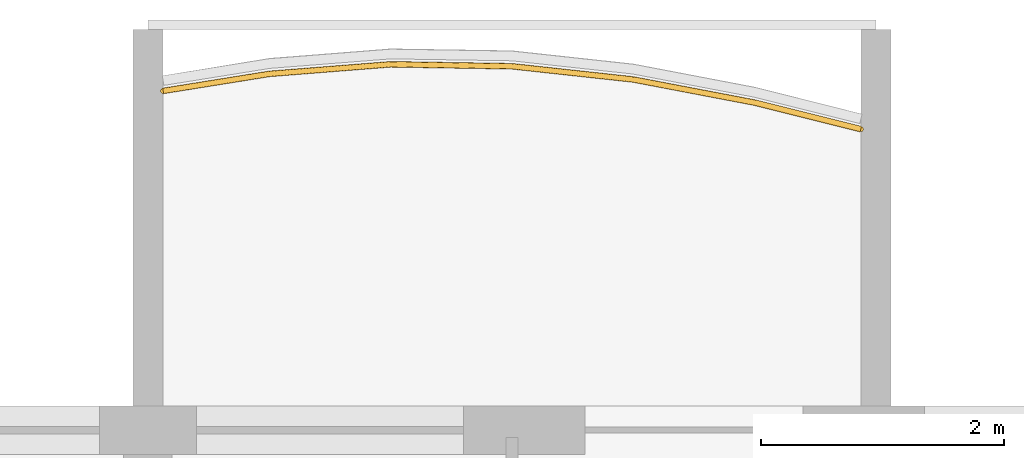
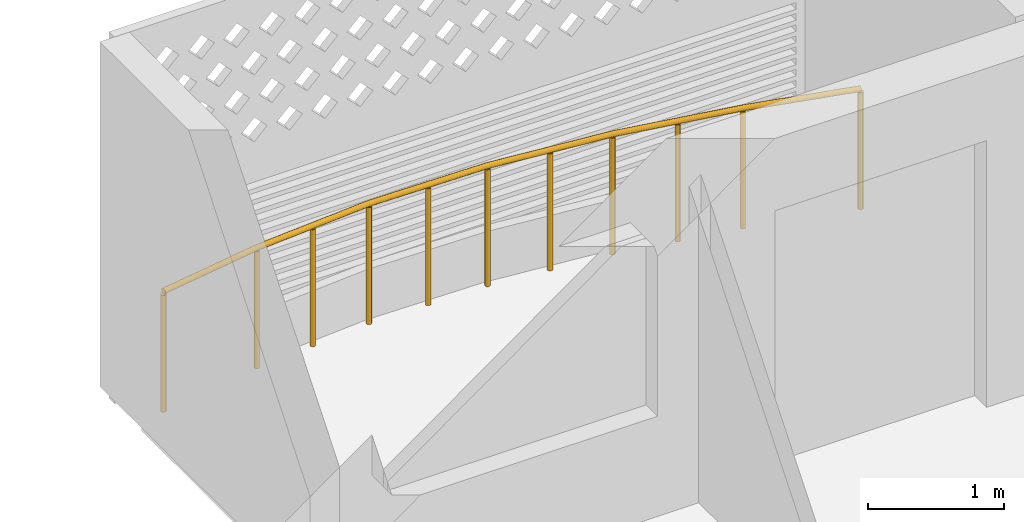
# One storey, part 28 of 38: 1 railing.
"""IFC4 building model written with IfcOpenShell, lengths in metres."""

from ifc_helpers import new_model, si_unit, direction, frame, origin, origin_2d, place, context, subcontext, project, spatial, circle, extrude, material, type_object, element, save


model = new_model("IFC4")

# Units and contexts
model_context = context("Model", 3, precision=1e-05, world=origin(), true_north=direction((0.0, 1.0)))
body_context = subcontext(model_context, "Body", "Model", "MODEL_VIEW")
ifc_project = project(units=[si_unit("LENGTHUNIT", "METRE"), si_unit("AREAUNIT", "SQUARE_METRE"), si_unit("VOLUMEUNIT", "CUBIC_METRE"), si_unit("PLANEANGLEUNIT", "RADIAN"), si_unit("MASSUNIT", "GRAM", prefix="KILO")], contexts=[model_context])

# Site, building, storey
site_placement = place(None, origin())
site = spatial("IfcSite", under=ifc_project, at=site_placement, CompositionType="ELEMENT")
building_placement = place(site_placement, origin())
building = spatial("IfcBuilding", under=site, at=building_placement, Name="Poui Terraces", CompositionType="ELEMENT")
storey_placement = place(building_placement, frame((0.0, 0.0, 46.5)))
storey = spatial("IfcBuildingStorey", under=building, at=storey_placement, Name="L12", CompositionType="ELEMENT", Elevation=46.5)

# Railing
ifc_material = material(Name="Painted steel fretwork", Category="steel")
railing_type = type_object("IfcRailingType", Name="BALCONY GUARD 1100", PredefinedType="GUARDRAIL", material=ifc_material)
railing_placement = place(storey_placement, frame((54.125, 47.595458984375, 0.0)))
element("IfcRailing", 1, at=railing_placement, inside=storey, type_object=railing_type, Name="BALCONY GUARD", PredefinedType="GUARDRAIL", context=body_context, shape_type="SweptSolid", body=[
    extrude(circle(Radius=0.02392578125, at=origin_2d()), frame((0.0, 0.0, 1.076171875), z_axis=(0.987373495895, 0.158409531289, 0.0), x_axis=(-0.158409531289, 0.987373495895, 0.0)), (0.0, 0.0, 1.0), 0.88623046875),
    extrude(circle(Radius=0.02392578125, at=origin_2d()), frame((0.875, 0.140380859375, 1.076171875), z_axis=(0.996905179889, 0.07861337234, 0.0), x_axis=(-0.07861337234, 0.996905179889, 0.0)), (0.0, 0.0, 1.0), 1.003173828125),
    extrude(circle(Radius=0.02392578125, at=origin_2d()), frame((1.875, 0.21923828125, 1.076171875), z_axis=(0.999870206358, -0.016111189849, 0.0), x_axis=(0.016111189849, 0.999870206358, 0.0)), (0.0, 0.0, 1.0), 1.000244140625),
    extrude(circle(Radius=0.02392578125, at=origin_2d()), frame((2.875, 0.203125, 1.076171875), z_axis=(0.994124040351, -0.108246904784, 0.0), x_axis=(0.108246904784, 0.994124040351, 0.0)), (0.0, 0.0, 1.0), 1.005859375),
    extrude(circle(Radius=0.02392578125, at=origin_2d()), frame((3.875, 0.09423828125, 1.076171875), z_axis=(0.982302864177, -0.187299447491, 0.0), x_axis=(0.187299447491, 0.982302864177, 0.0)), (0.0, 0.0, 1.0), 1.01806640625),
    extrude(circle(Radius=0.02392578125, at=origin_2d()), frame((4.875, -0.096435546875, 1.076171875), z_axis=(0.970142500145, -0.242535625036, 0.0), x_axis=(0.242535625036, 0.970142500145, 0.0)), (0.0, 0.0, 1.0), 0.90185546875),
    extrude(circle(Radius=0.02099609375, at=origin_2d()), origin(), (0.0, 0.0, 1.0), 1.052001953125),
    extrude(circle(Radius=0.02099609375, at=origin_2d()), frame((0.875, 0.140380859375, 0.0)), (0.0, 0.0, 1.0), 1.052001953125),
    extrude(circle(Radius=0.02099609375, at=origin_2d()), frame((1.375, 0.1796875, 0.0)), (0.0, 0.0, 1.0), 1.052001953125),
    extrude(circle(Radius=0.02099609375, at=origin_2d()), frame((1.875, 0.21923828125, 0.0)), (0.0, 0.0, 1.0), 1.052001953125),
    extrude(circle(Radius=0.02099609375, at=origin_2d()), frame((2.375, 0.211181640625, 0.0)), (0.0, 0.0, 1.0), 1.052001953125),
    extrude(circle(Radius=0.02099609375, at=origin_2d()), frame((2.875, 0.203125, 0.0)), (0.0, 0.0, 1.0), 1.052001953125),
    extrude(circle(Radius=0.02099609375, at=origin_2d()), frame((3.375, 0.148681640625, 0.0)), (0.0, 0.0, 1.0), 1.052001953125),
    extrude(circle(Radius=0.02099609375, at=origin_2d()), frame((3.875, 0.09423828125, 0.0)), (0.0, 0.0, 1.0), 1.052001953125),
    extrude(circle(Radius=0.02099609375, at=origin_2d()), frame((4.375, -0.0009765625, 0.0)), (0.0, 0.0, 1.0), 1.052001953125),
    extrude(circle(Radius=0.02099609375, at=origin_2d()), frame((4.875, -0.096435546875, 0.0)), (0.0, 0.0, 1.0), 1.052001953125),
    extrude(circle(Radius=0.02099609375, at=origin_2d()), frame((5.75, -0.315185546875, 0.0)), (0.0, 0.0, 1.0), 1.052001953125),
])

save(model, "model.ifc")
